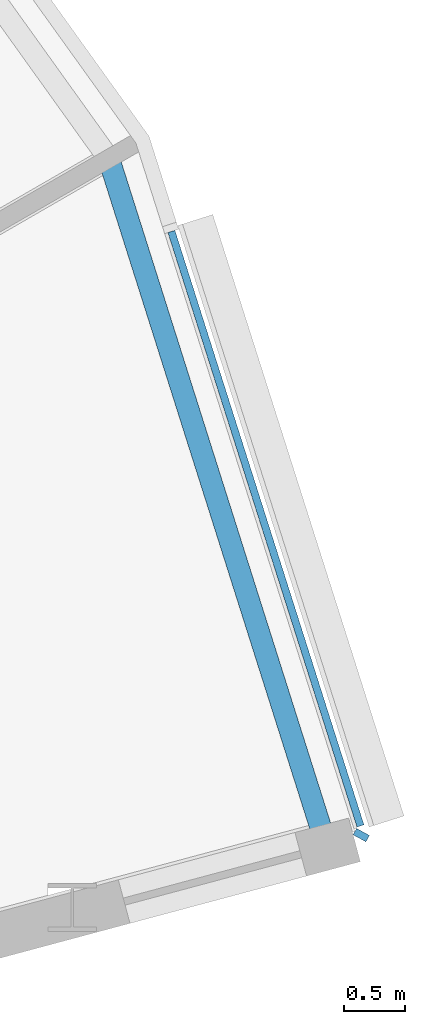
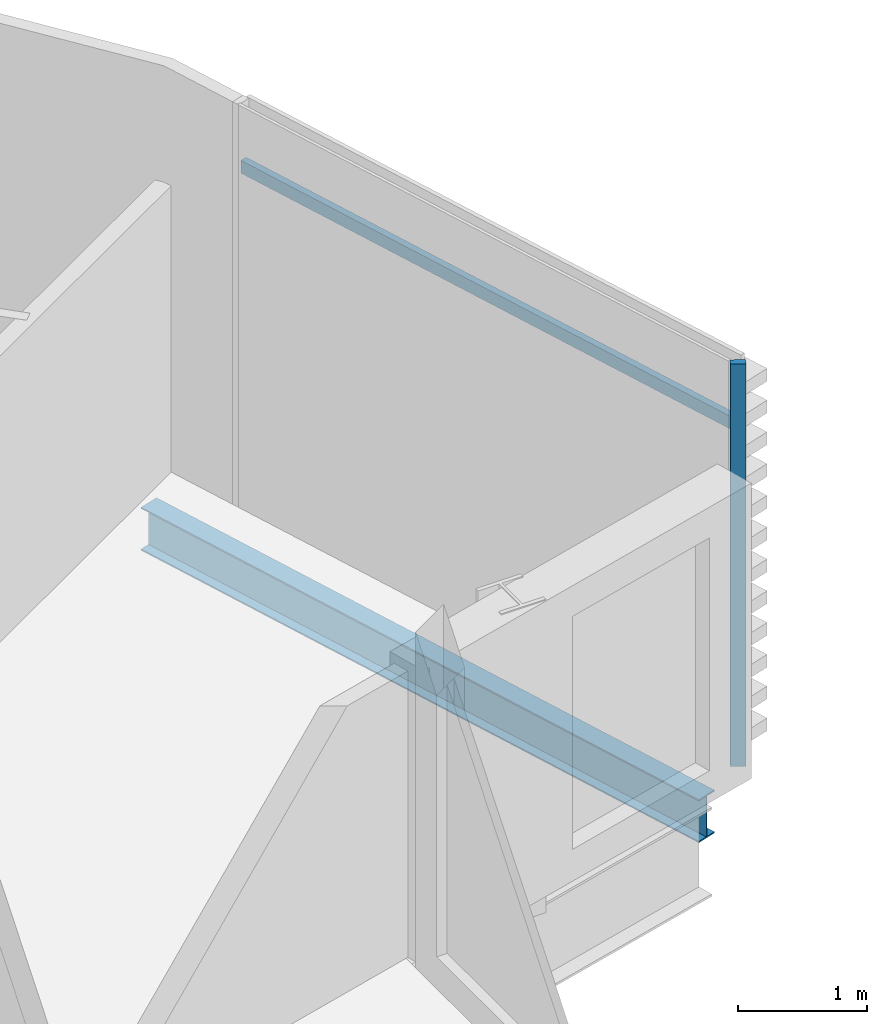
# One storey, part 16 of 38: 2 members, 1 beam, 1 element without a shape of its own.
"""IFC4 building model written with IfcOpenShell, lengths in metres."""

from ifc_helpers import new_model, si_unit, direction, frame, origin, origin_2d, place, context, subcontext, project, spatial, rectangle, i_section, extrude, material, material_profile, profile_set, type_object, element, aggregate, save


model = new_model("IFC4")

# Units and contexts
model_context = context("Model", 3, precision=1e-05, world=origin(), true_north=direction((0.0, 1.0)))
body_context = subcontext(model_context, "Body", "Model", "MODEL_VIEW")
ifc_project = project(units=[si_unit("LENGTHUNIT", "METRE"), si_unit("AREAUNIT", "SQUARE_METRE"), si_unit("VOLUMEUNIT", "CUBIC_METRE"), si_unit("PLANEANGLEUNIT", "RADIAN"), si_unit("MASSUNIT", "GRAM", prefix="KILO")], contexts=[model_context])

# Site, building, storey
site_placement = place(None, origin())
site = spatial("IfcSite", under=ifc_project, at=site_placement, CompositionType="ELEMENT")
building_placement = place(site_placement, origin())
building = spatial("IfcBuilding", under=site, at=building_placement, Name="Rimbun Link Towers", CompositionType="ELEMENT")
storey_placement = place(building_placement, frame((0.0, 0.0, 56.60009765625)))
storey = spatial("IfcBuildingStorey", under=building, at=storey_placement, Name="L13", CompositionType="ELEMENT", Elevation=56.60009765625)

# Curtain wall, members
ifc_material_1 = material(Name="Aluminium 6063-T6 and low-iron glass", Category="aluminium")
curtain_wall_type = type_object("IfcCurtainWallType", Name="CW1 unitised vision wall", PredefinedType="NOTDEFINED", material=ifc_material_1)
curtain_wall_placement = place(storey_placement, origin())
curtain_wall = element("IfcCurtainWall", 1, at=curtain_wall_placement, inside=storey, type_object=curtain_wall_type, Name="CW1 L13 T2", PredefinedType="NOTDEFINED")
ifc_material_2 = material(Name="Aluminium 6063-T6", Category="aluminium")
ifc_material_profile_1 = material_profile(ifc_material_2, rectangle(XDim=0.1201171875, YDim=0.06005859375, at=origin_2d()), Name="MULLION 60X120")
ifc_profile_set_1 = profile_set([ifc_material_profile_1], Name="Aluminium 6063-T6")
member_type_1 = type_object("IfcMemberType", Name="CW1 mullion 60X120", PredefinedType="MULLION", material=ifc_profile_set_1)
member_1_placement = place(storey_placement, frame((53.410888671875, 5.760986328125, 0.0), z_axis=(0.0, 0.0, 1.0), x_axis=(0.877319066545, -0.479907548885, 0.0)))
member_1 = element("IfcMember", 2, at=member_1_placement, type_object=member_type_1, Name="CW1 mullion", PredefinedType="MULLION", context=body_context, shape_type="SweptSolid", body=[
    extrude(rectangle(XDim=0.1201171875, YDim=0.06005859375, at=origin_2d()), origin(), (0.0, 0.0, 1.0), 3.7998046875),
])
ifc_material_3 = material(Name="Aluminium 6063-T6", Category="aluminium")
ifc_material_profile_2 = material_profile(ifc_material_3, rectangle(XDim=0.06005859375, YDim=0.1201171875, at=origin_2d()), Name="TRANSOM 60X120")
ifc_profile_set_2 = profile_set([ifc_material_profile_2], Name="Aluminium 6063-T6")
member_type_2 = type_object("IfcMemberType", Name="CW1 transom 60X120", PredefinedType="USERDEFINED", material=ifc_profile_set_2)
member_2_placement = place(storey_placement, frame((51.853515625, 10.712646484375, 3.199951171875), z_axis=(0.303101253702, -0.95295835691, 0.0), x_axis=(0.95295835691, 0.303101253702, 0.0)))
member_2 = element("IfcMember", 3, at=member_2_placement, type_object=member_type_2, Name="CW1 transom", ObjectType="TRANSOM", PredefinedType="USERDEFINED", context=body_context, shape_type="SweptSolid", body=[
    extrude(rectangle(XDim=0.06005859375, YDim=0.1201171875, at=origin_2d()), origin(), (0.0, 0.0, 1.0), 5.1171875),
])
aggregate(curtain_wall, [member_1, member_2])

# Beam
ifc_material_4 = material(Name="Steel S355J2", Category="steel")
ifc_material_profile_3 = material_profile(ifc_material_4, i_section(OverallWidth=0.177978515625, OverallDepth=0.406494140625, WebThickness=0.0078125, FlangeThickness=0.0126953125, at=origin_2d()), Name="UB 406x178x60")
ifc_profile_set_3 = profile_set([ifc_material_profile_3], Name="Steel S355J2")
beam_type = type_object("IfcBeamType", Name="UB 406x178x60", PredefinedType="BEAM", material=ifc_profile_set_3)
beam_placement = place(storey_placement, frame((53.109375, 5.724365234375, -0.36328125), z_axis=(-0.301942959489, 0.95332599315, 0.0), x_axis=(-0.95332599315, -0.301942959489, 0.0)))
element("IfcBeam", 4, at=beam_placement, inside=storey, type_object=beam_type, Name="Edge beam T2 L13 22", PredefinedType="BEAM", context=body_context, shape_type="SweptSolid", body=[
    extrude(i_section(OverallWidth=0.177978515625, OverallDepth=0.406494140625, WebThickness=0.0078125, FlangeThickness=0.0126953125, at=origin_2d()), origin(), (0.0, 0.0, 1.0), 5.84423828125),
])

save(model, "model.ifc")
